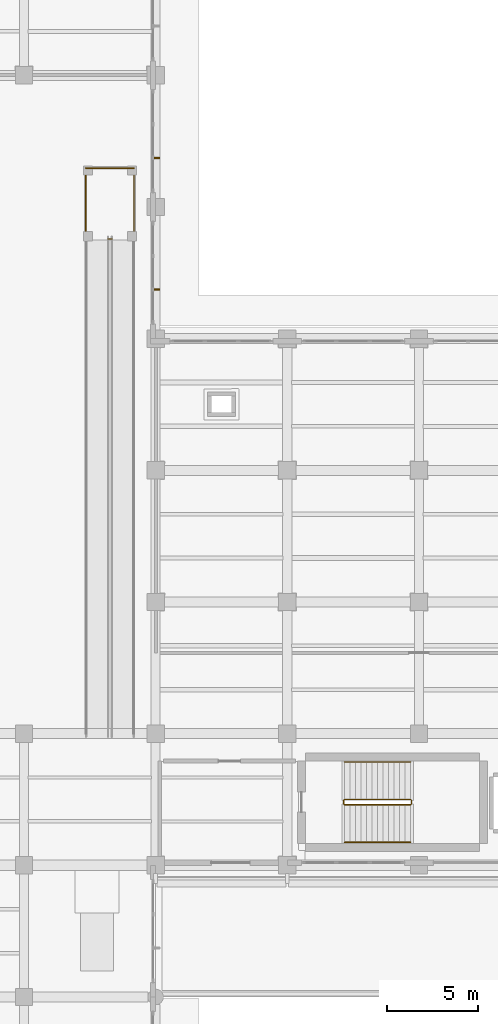
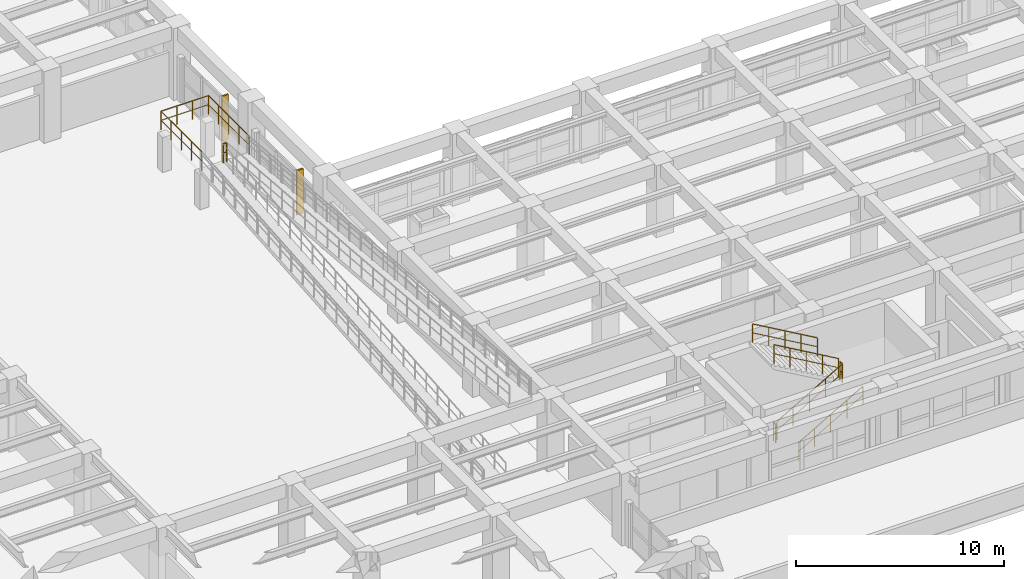
# One storey, part 54 of 64: 10 railings, 2 shading devices.
"""IFC4 building model written with IfcOpenShell, lengths in metres."""

from ifc_helpers import new_model, si_unit, direction, frame, origin, origin_2d, place, context, subcontext, project, spatial, rectangle, circle, extrude, material, material_profile, profile_set, type_object, element, save


model = new_model("IFC4")

# Units and contexts
model_context = context("Model", 3, precision=1e-05, world=origin(), true_north=direction((0.0, 1.0)))
body_context = subcontext(model_context, "Body", "Model", "MODEL_VIEW")
ifc_project = project(units=[si_unit("LENGTHUNIT", "METRE"), si_unit("AREAUNIT", "SQUARE_METRE"), si_unit("VOLUMEUNIT", "CUBIC_METRE"), si_unit("PLANEANGLEUNIT", "RADIAN"), si_unit("MASSUNIT", "GRAM", prefix="KILO")], contexts=[model_context])

# Site, building, storey
site_placement = place(None, origin())
site = spatial("IfcSite", under=ifc_project, at=site_placement, CompositionType="ELEMENT")
building_placement = place(site_placement, origin())
building = spatial("IfcBuilding", under=site, at=building_placement, Name="Solenvale Faculty of Natural Sciences", CompositionType="ELEMENT")
storey_placement = place(building_placement, origin())
storey = spatial("IfcBuildingStorey", under=building, at=storey_placement, Name="L00", CompositionType="ELEMENT", Elevation=0.0)

# Railings
ifc_material_1 = material(Name="Stainless steel Grade 304", Category="steel")
railing_type_1 = type_object("IfcRailingType", Name="RL-GRD-1100", PredefinedType="GUARDRAIL", material=ifc_material_1)
railing_1_placement = place(storey_placement, frame((67.93994140625, 24.89990234375, 0.173095703125)))
element("IfcRailing", 1, at=railing_1_placement, inside=storey, type_object=railing_type_1, Name="L00 ST-03 stair guard 1", PredefinedType="GUARDRAIL", context=body_context, shape_type="SweptSolid", body=[
    extrude(circle(Radius=0.02392578125, at=origin_2d()), frame((0.0, 0.0, 1.09619140625), z_axis=(0.866193409371, 0.0, 0.499708892819), x_axis=(0.0, 1.0, 0.0)), (0.0, 0.0, 1.0), 4.15625),
    extrude(circle(Radius=0.01611328125, at=origin_2d()), frame((0.0, 0.0, 0.56005859375), z_axis=(0.866193409371, 0.0, 0.499708892819), x_axis=(0.0, 1.0, 0.0)), (0.0, 0.0, 1.0), 4.15625),
    extrude(circle(Radius=0.02099609375, at=origin_2d()), origin(), (0.0, 0.0, 1.0), 1.072021484375),
    extrude(circle(Radius=0.02099609375, at=origin_2d()), frame((0.89990234375, 0.0, 0.519287109375)), (0.0, 0.0, 1.0), 1.072021484375),
    extrude(circle(Radius=0.02099609375, at=origin_2d()), frame((1.800048828125, 0.0, 1.03857421875)), (0.0, 0.0, 1.0), 1.072021484375),
    extrude(circle(Radius=0.02099609375, at=origin_2d()), frame((2.7001953125, 0.0, 1.5576171875)), (0.0, 0.0, 1.0), 1.072021484375),
    extrude(circle(Radius=0.02099609375, at=origin_2d()), frame((3.60009765625, 0.0, 2.076904296875)), (0.0, 0.0, 1.0), 1.072021484375),
])
railing_2_placement = place(storey_placement, frame((71.590087890625, 24.949951171875, 2.25)))
element("IfcRailing", 2, at=railing_2_placement, inside=storey, type_object=railing_type_1, Name="L00 ST-03 stair guard 2", PredefinedType="GUARDRAIL", context=body_context, shape_type="SweptSolid", body=[
    extrude(circle(Radius=0.02392578125, at=origin_2d()), frame((0.0, 0.0, 1.09619140625), z_axis=(0.0, 1.0, 0.0), x_axis=(-1.0, 0.0, 0.0)), (0.0, 0.0, 1.0), 0.199951171875),
    extrude(circle(Radius=0.01611328125, at=origin_2d()), frame((0.0, 0.0, 0.56005859375), z_axis=(0.0, 1.0, 0.0), x_axis=(-1.0, 0.0, 0.0)), (0.0, 0.0, 1.0), 0.199951171875),
    extrude(circle(Radius=0.02099609375, at=origin_2d()), origin(), (0.0, 0.0, 1.0), 1.072021484375),
    extrude(circle(Radius=0.02099609375, at=origin_2d()), frame((0.0, 0.199951171875, 0.0)), (0.0, 0.0, 1.0), 1.072021484375),
])
railing_3_placement = place(storey_placement, frame((71.5400390625, 25.199951171875, 2.423095703125)))
element("IfcRailing", 3, at=railing_3_placement, inside=storey, type_object=railing_type_1, Name="L00 ST-03 stair guard 3", PredefinedType="GUARDRAIL", context=body_context, shape_type="SweptSolid", body=[
    extrude(circle(Radius=0.02392578125, at=origin_2d()), frame((0.0, 0.0, 1.09619140625), z_axis=(-0.866193409371, 0.0, 0.499708892819), x_axis=(0.0, -1.0, 0.0)), (0.0, 0.0, 1.0), 4.15625),
    extrude(circle(Radius=0.01611328125, at=origin_2d()), frame((0.0, 0.0, 0.56005859375), z_axis=(-0.866193409371, 0.0, 0.499708892819), x_axis=(0.0, -1.0, 0.0)), (0.0, 0.0, 1.0), 4.15625),
    extrude(circle(Radius=0.02099609375, at=origin_2d()), origin(), (0.0, 0.0, 1.0), 1.072021484375),
    extrude(circle(Radius=0.02099609375, at=origin_2d()), frame((-0.89990234375, 0.0, 0.519287109375)), (0.0, 0.0, 1.0), 1.072021484375),
    extrude(circle(Radius=0.02099609375, at=origin_2d()), frame((-1.800048828125, 0.0, 1.03857421875)), (0.0, 0.0, 1.0), 1.072021484375),
    extrude(circle(Radius=0.02099609375, at=origin_2d()), frame((-2.7001953125, 0.0, 1.5576171875)), (0.0, 0.0, 1.0), 1.072021484375),
    extrude(circle(Radius=0.02099609375, at=origin_2d()), frame((-3.60009765625, 0.0, 2.076904296875)), (0.0, 0.0, 1.0), 1.072021484375),
])
railing_4_placement = place(storey_placement, frame((67.889892578125, 24.949951171875, 0.0)))
element("IfcRailing", 4, at=railing_4_placement, inside=storey, type_object=railing_type_1, Name="L00 ST-03 stair guard 4", PredefinedType="GUARDRAIL", context=body_context, shape_type="SweptSolid", body=[
    extrude(circle(Radius=0.02392578125, at=origin_2d()), frame((0.0, 0.0, 1.09619140625), z_axis=(0.0, 1.0, 0.0), x_axis=(-1.0, 0.0, 0.0)), (0.0, 0.0, 1.0), 0.199951171875),
    extrude(circle(Radius=0.01611328125, at=origin_2d()), frame((0.0, 0.0, 0.56005859375), z_axis=(0.0, 1.0, 0.0), x_axis=(-1.0, 0.0, 0.0)), (0.0, 0.0, 1.0), 0.199951171875),
    extrude(circle(Radius=0.02099609375, at=origin_2d()), origin(), (0.0, 0.0, 1.0), 1.072021484375),
    extrude(circle(Radius=0.02099609375, at=origin_2d()), frame((0.0, 0.199951171875, 0.0)), (0.0, 0.0, 1.0), 1.072021484375),
])
railing_5_placement = place(storey_placement, frame((53.780029296875, 55.800048828125, 2.25)))
element("IfcRailing", 5, at=railing_5_placement, inside=storey, type_object=railing_type_1, Name="RMP-01 Landing Guardrail W", PredefinedType="GUARDRAIL", context=body_context, shape_type="SweptSolid", body=[
    extrude(circle(Radius=0.02392578125, at=origin_2d()), frame((0.0, 0.0, 1.09619140625), z_axis=(0.0, 1.0, 0.0), x_axis=(-1.0, 0.0, 0.0)), (0.0, 0.0, 1.0), 3.919921875),
    extrude(circle(Radius=0.01611328125, at=origin_2d()), frame((0.0, 0.0, 0.56005859375), z_axis=(0.0, 1.0, 0.0), x_axis=(-1.0, 0.0, 0.0)), (0.0, 0.0, 1.0), 3.919921875),
    extrude(circle(Radius=0.02099609375, at=origin_2d()), origin(), (0.0, 0.0, 1.0), 1.072021484375),
    extrude(circle(Radius=0.02099609375, at=origin_2d()), frame((0.0, 0.97998046875, 0.0)), (0.0, 0.0, 1.0), 1.072021484375),
    extrude(circle(Radius=0.02099609375, at=origin_2d()), frame((0.0, 1.9599609375, 0.0)), (0.0, 0.0, 1.0), 1.072021484375),
    extrude(circle(Radius=0.02099609375, at=origin_2d()), frame((0.0, 2.93994140625, 0.0)), (0.0, 0.0, 1.0), 1.072021484375),
    extrude(circle(Radius=0.02099609375, at=origin_2d()), frame((0.0, 3.919921875, 0.0)), (0.0, 0.0, 1.0), 1.072021484375),
])
railing_6_placement = place(storey_placement, frame((53.780029296875, 59.719970703125, 2.25)))
element("IfcRailing", 6, at=railing_6_placement, inside=storey, type_object=railing_type_1, Name="RMP-01 Landing Guardrail N", PredefinedType="GUARDRAIL", context=body_context, shape_type="SweptSolid", body=[
    extrude(circle(Radius=0.02392578125, at=origin_2d()), frame((0.0, 0.0, 1.09619140625), z_axis=(1.0, 0.0, 0.0), x_axis=(0.0, 1.0, 0.0)), (0.0, 0.0, 1.0), 2.639892578125),
    extrude(circle(Radius=0.01611328125, at=origin_2d()), frame((0.0, 0.0, 0.56005859375), z_axis=(1.0, 0.0, 0.0), x_axis=(0.0, 1.0, 0.0)), (0.0, 0.0, 1.0), 2.639892578125),
    extrude(circle(Radius=0.02099609375, at=origin_2d()), origin(), (0.0, 0.0, 1.0), 1.072021484375),
    extrude(circle(Radius=0.02099609375, at=origin_2d()), frame((0.8798828125, 0.0, 0.0)), (0.0, 0.0, 1.0), 1.072021484375),
    extrude(circle(Radius=0.02099609375, at=origin_2d()), frame((1.760009765625, 0.0, 0.0)), (0.0, 0.0, 1.0), 1.072021484375),
    extrude(circle(Radius=0.02099609375, at=origin_2d()), frame((2.639892578125, 0.0, 0.0)), (0.0, 0.0, 1.0), 1.072021484375),
])
railing_7_placement = place(storey_placement, frame((56.419921875, 59.719970703125, 2.25)))
element("IfcRailing", 7, at=railing_7_placement, inside=storey, type_object=railing_type_1, Name="RMP-01 Landing Guardrail E", PredefinedType="GUARDRAIL", context=body_context, shape_type="SweptSolid", body=[
    extrude(circle(Radius=0.02392578125, at=origin_2d()), frame((0.0, 0.0, 1.09619140625), z_axis=(0.0, -1.0, 0.0), x_axis=(1.0, 0.0, 0.0)), (0.0, 0.0, 1.0), 3.919921875),
    extrude(circle(Radius=0.01611328125, at=origin_2d()), frame((0.0, 0.0, 0.56005859375), z_axis=(0.0, -1.0, 0.0), x_axis=(1.0, 0.0, 0.0)), (0.0, 0.0, 1.0), 3.919921875),
    extrude(circle(Radius=0.02099609375, at=origin_2d()), origin(), (0.0, 0.0, 1.0), 1.072021484375),
    extrude(circle(Radius=0.02099609375, at=origin_2d()), frame((0.0, -0.97998046875, 0.0)), (0.0, 0.0, 1.0), 1.072021484375),
    extrude(circle(Radius=0.02099609375, at=origin_2d()), frame((0.0, -1.9599609375, 0.0)), (0.0, 0.0, 1.0), 1.072021484375),
    extrude(circle(Radius=0.02099609375, at=origin_2d()), frame((0.0, -2.93994140625, 0.0)), (0.0, 0.0, 1.0), 1.072021484375),
    extrude(circle(Radius=0.02099609375, at=origin_2d()), frame((0.0, -3.919921875, 0.0)), (0.0, 0.0, 1.0), 1.072021484375),
])
railing_8_placement = place(storey_placement, frame((55.0, 55.85009765625, 2.25)))
element("IfcRailing", 8, at=railing_8_placement, inside=storey, type_object=railing_type_1, Name="RMP-01 Landing Guardrail SLOT", PredefinedType="GUARDRAIL", context=body_context, shape_type="SweptSolid", body=[
    extrude(circle(Radius=0.02392578125, at=origin_2d()), frame((0.0, 0.0, 1.09619140625), z_axis=(1.0, 0.0, 0.0), x_axis=(0.0, 1.0, 0.0)), (0.0, 0.0, 1.0), 0.199951171875),
    extrude(circle(Radius=0.01611328125, at=origin_2d()), frame((0.0, 0.0, 0.56005859375), z_axis=(1.0, 0.0, 0.0), x_axis=(0.0, 1.0, 0.0)), (0.0, 0.0, 1.0), 0.199951171875),
    extrude(circle(Radius=0.02099609375, at=origin_2d()), origin(), (0.0, 0.0, 1.0), 1.072021484375),
    extrude(circle(Radius=0.02099609375, at=origin_2d()), frame((0.199951171875, 0.0, 0.0)), (0.0, 0.0, 1.0), 1.072021484375),
])
railing_type_2 = type_object("IfcRailingType", Name="RL-HND-900", PredefinedType="HANDRAIL", material=ifc_material_1)
railing_9_placement = place(storey_placement, frame((67.93994140625, 22.85009765625, 0.173095703125)))
element("IfcRailing", 9, at=railing_9_placement, inside=storey, type_object=railing_type_2, Name="L00 ST-03 stair handrail 1", PredefinedType="HANDRAIL", context=body_context, shape_type="SweptSolid", body=[
    extrude(circle(Radius=0.02392578125, at=origin_2d()), frame((0.0, 0.0, 1.0732421875), z_axis=(0.866193409371, 0.0, 0.499708892819), x_axis=(0.0, 1.0, 0.0)), (0.0, 0.0, 1.0), 4.15625),
    extrude(circle(Radius=0.01611328125, at=origin_2d()), frame((0.0, 0.0, 0.548583984375), z_axis=(0.866193409371, 0.0, 0.499708892819), x_axis=(0.0, 1.0, 0.0)), (0.0, 0.0, 1.0), 4.15625),
    extrude(circle(Radius=0.02099609375, at=origin_2d()), origin(), (0.0, 0.0, 1.0), 1.049072265625),
    extrude(circle(Radius=0.02099609375, at=origin_2d()), frame((0.89990234375, 0.0, 0.519287109375)), (0.0, 0.0, 1.0), 1.049072265625),
    extrude(circle(Radius=0.02099609375, at=origin_2d()), frame((1.800048828125, 0.0, 1.03857421875)), (0.0, 0.0, 1.0), 1.049072265625),
    extrude(circle(Radius=0.02099609375, at=origin_2d()), frame((2.7001953125, 0.0, 1.5576171875)), (0.0, 0.0, 1.0), 1.049072265625),
    extrude(circle(Radius=0.02099609375, at=origin_2d()), frame((3.60009765625, 0.0, 2.076904296875)), (0.0, 0.0, 1.0), 1.049072265625),
])
railing_10_placement = place(storey_placement, frame((71.5400390625, 27.25, 2.423095703125)))
element("IfcRailing", 10, at=railing_10_placement, inside=storey, type_object=railing_type_2, Name="L00 ST-03 stair handrail 2", PredefinedType="HANDRAIL", context=body_context, shape_type="SweptSolid", body=[
    extrude(circle(Radius=0.02392578125, at=origin_2d()), frame((0.0, 0.0, 1.0732421875), z_axis=(-0.866193409371, 0.0, 0.499708892819), x_axis=(0.0, -1.0, 0.0)), (0.0, 0.0, 1.0), 4.15625),
    extrude(circle(Radius=0.01611328125, at=origin_2d()), frame((0.0, 0.0, 0.548583984375), z_axis=(-0.866193409371, 0.0, 0.499708892819), x_axis=(0.0, -1.0, 0.0)), (0.0, 0.0, 1.0), 4.15625),
    extrude(circle(Radius=0.02099609375, at=origin_2d()), origin(), (0.0, 0.0, 1.0), 1.049072265625),
    extrude(circle(Radius=0.02099609375, at=origin_2d()), frame((-0.89990234375, 0.0, 0.519287109375)), (0.0, 0.0, 1.0), 1.049072265625),
    extrude(circle(Radius=0.02099609375, at=origin_2d()), frame((-1.800048828125, 0.0, 1.03857421875)), (0.0, 0.0, 1.0), 1.049072265625),
    extrude(circle(Radius=0.02099609375, at=origin_2d()), frame((-2.7001953125, 0.0, 1.5576171875)), (0.0, 0.0, 1.0), 1.049072265625),
    extrude(circle(Radius=0.02099609375, at=origin_2d()), frame((-3.60009765625, 0.0, 2.076904296875)), (0.0, 0.0, 1.0), 1.049072265625),
])

# Shading devices
ifc_material_2 = material(Name="Anodised bronze aluminium", Category="aluminium")
ifc_material_profile = material_profile(ifc_material_2, rectangle(XDim=0.080078125, YDim=0.360107421875, at=origin_2d()), Name="ALU-FIN-80x360")
ifc_profile_set = profile_set([ifc_material_profile], Name="Anodised bronze aluminium")
shading_device_type = type_object("IfcShadingDeviceType", Name="SHD-FIN-360", PredefinedType="JALOUSIE", material=ifc_profile_set)
for number, where, z_axis, x_axis, name in (
    (11, (57.659912109375, 53.083251953125, -0.02001953125), (0.0, 0.0, 1.0), (0.0, 1.0, 0.0), "L00 Vertical Brise-Soleil Fin 10.1"),
    (12, (57.659912109375, 60.283447265625, -0.02001953125), (0.0, 0.0, 1.0), (0.0, 1.0, 0.0), "L00 Vertical Brise-Soleil Fin 10.2"),
):
    element("IfcShadingDevice", number, at=place(storey_placement, frame(where, z_axis=z_axis, x_axis=x_axis)), inside=storey, type_object=shading_device_type, Name=name, PredefinedType="JALOUSIE", context=body_context, shape_type="SweptSolid", body=[
        extrude(rectangle(XDim=0.080078125, YDim=0.360107421875, at=origin_2d()), origin(), (0.0, 0.0, 1.0), 2.6201171875),
    ])

save(model, "model.ifc")
